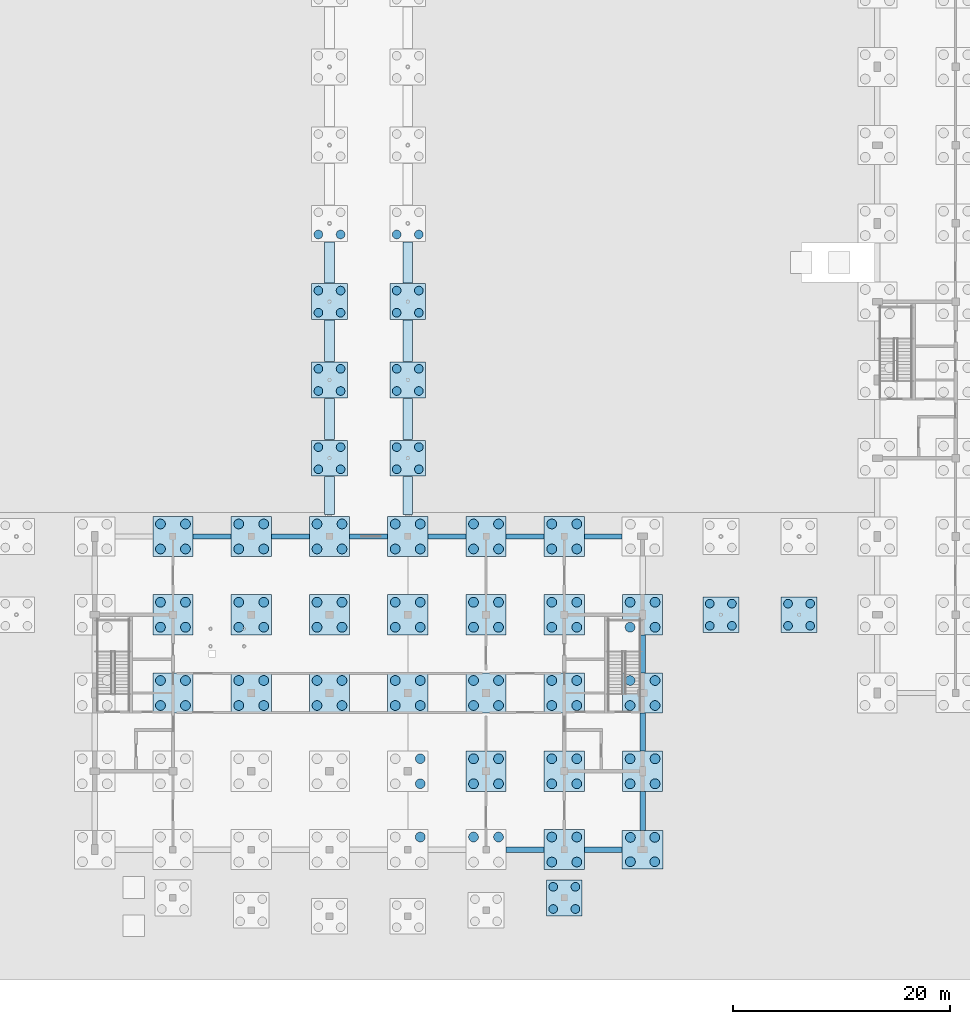
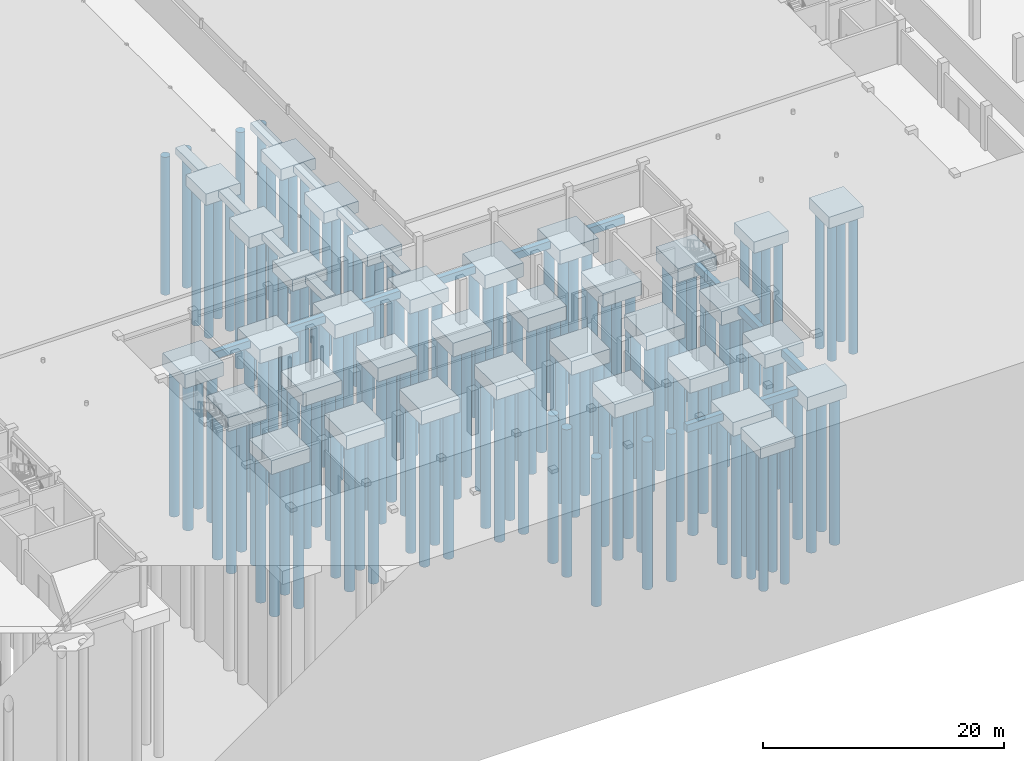
# One storey, part 3 of 51: 145 piles, 53 footings.
"""IFC4 building model written with IfcOpenShell, lengths in metres."""

from ifc_helpers import new_model, si_unit, direction, frame, origin, origin_2d, place, context, subcontext, project, spatial, rectangle, circle, extrude, material, material_profile, profile_set, type_object, element, save


model = new_model("IFC4")

# Units and contexts
model_context = context("Model", 3, precision=1e-05, world=origin(), true_north=direction((0.0, 1.0)))
body_context = subcontext(model_context, "Body", "Model", "MODEL_VIEW")
ifc_project = project(units=[si_unit("LENGTHUNIT", "METRE"), si_unit("AREAUNIT", "SQUARE_METRE"), si_unit("VOLUMEUNIT", "CUBIC_METRE"), si_unit("PLANEANGLEUNIT", "RADIAN"), si_unit("MASSUNIT", "GRAM", prefix="KILO")], contexts=[model_context])

# Site, building, storey
site_placement = place(None, origin())
site = spatial("IfcSite", under=ifc_project, at=site_placement, CompositionType="ELEMENT")
building_placement = place(site_placement, origin())
building = spatial("IfcBuilding", under=site, at=building_placement, Name="Zlatovets Crest Museum", CompositionType="ELEMENT")
storey_placement = place(building_placement, frame((0.0, 0.0, -4.5)))
storey = spatial("IfcBuildingStorey", under=building, at=storey_placement, Name="B1", CompositionType="ELEMENT", Elevation=-4.5)

# Piles
ifc_material = material(Name="Concrete C35/45", Category="concrete")
ifc_material_profile_1 = material_profile(ifc_material, circle(Radius=0.39990234375, at=origin_2d()), Name="PILE D800")
ifc_profile_set_1 = profile_set([ifc_material_profile_1], Name="Concrete C35/45")
pile_type_1 = type_object("IfcPileType", Name="BoredPile_PL-01", PredefinedType="BORED", material=ifc_profile_set_1)
for number, where, z_axis, x_axis, name in (
    (1, (114.179931640625, 20.580078125, -1.39990234375), (0.0, 0.0, -1.0), (1.0, 0.0, 0.0), "Bored pile PL-01 BR4-S1T0.1"),
    (2, (114.179931640625, 22.6201171875, -1.39990234375), (0.0, 0.0, -1.0), (1.0, 0.0, 0.0), "Bored pile PL-01 BR4-S1T0.2"),
    (3, (116.219970703125, 20.580078125, -1.39990234375), (0.0, 0.0, -1.0), (1.0, 0.0, 0.0), "Bored pile PL-01 BR4-S1T0.3"),
    (4, (116.219970703125, 22.6201171875, -1.39990234375), (0.0, 0.0, -1.0), (1.0, 0.0, 0.0), "Bored pile PL-01 BR4-S1T0.4"),
    (5, (121.3798828125, 20.580078125, -1.39990234375), (0.0, 0.0, -1.0), (1.0, 0.0, 0.0), "Bored pile PL-01 BR4-S2T0.1"),
    (6, (121.3798828125, 22.6201171875, -1.39990234375), (0.0, 0.0, -1.0), (1.0, 0.0, 0.0), "Bored pile PL-01 BR4-S2T0.2"),
    (7, (123.419921875, 20.580078125, -1.39990234375), (0.0, 0.0, -1.0), (1.0, 0.0, 0.0), "Bored pile PL-01 BR4-S2T0.3"),
    (8, (123.419921875, 22.6201171875, -1.39990234375), (0.0, 0.0, -1.0), (1.0, 0.0, 0.0), "Bored pile PL-01 BR4-S2T0.4"),
    (9, (78.179931640625, 34.97998046875, -1.39990234375), (0.0, 0.0, -1.0), (1.0, 0.0, 0.0), "Bored pile PL-01 BR5-S1T0.1"),
    (10, (78.179931640625, 37.02001953125, -1.39990234375), (0.0, 0.0, -1.0), (1.0, 0.0, 0.0), "Bored pile PL-01 BR5-S1T0.2"),
    (11, (80.219970703125, 34.97998046875, -1.39990234375), (0.0, 0.0, -1.0), (1.0, 0.0, 0.0), "Bored pile PL-01 BR5-S1T0.3"),
    (12, (80.219970703125, 37.02001953125, -1.39990234375), (0.0, 0.0, -1.0), (1.0, 0.0, 0.0), "Bored pile PL-01 BR5-S1T0.4"),
    (13, (85.3798828125, 34.97998046875, -1.39990234375), (0.0, 0.0, -1.0), (1.0, 0.0, 0.0), "Bored pile PL-01 BR5-S1T1.1"),
    (14, (85.3798828125, 37.02001953125, -1.39990234375), (0.0, 0.0, -1.0), (1.0, 0.0, 0.0), "Bored pile PL-01 BR5-S1T1.2"),
    (15, (87.419921875, 34.97998046875, -1.39990234375), (0.0, 0.0, -1.0), (1.0, 0.0, 0.0), "Bored pile PL-01 BR5-S1T1.3"),
    (16, (87.419921875, 37.02001953125, -1.39990234375), (0.0, 0.0, -1.0), (1.0, 0.0, 0.0), "Bored pile PL-01 BR5-S1T1.4"),
    (17, (78.179931640625, 42.179931640625, -1.39990234375), (0.0, 0.0, -1.0), (1.0, 0.0, 0.0), "Bored pile PL-01 BR5-S2T0.1"),
    (18, (78.179931640625, 44.219970703125, -1.39990234375), (0.0, 0.0, -1.0), (1.0, 0.0, 0.0), "Bored pile PL-01 BR5-S2T0.2"),
    (19, (80.219970703125, 42.179931640625, -1.39990234375), (0.0, 0.0, -1.0), (1.0, 0.0, 0.0), "Bored pile PL-01 BR5-S2T0.3"),
    (20, (80.219970703125, 44.219970703125, -1.39990234375), (0.0, 0.0, -1.0), (1.0, 0.0, 0.0), "Bored pile PL-01 BR5-S2T0.4"),
    (21, (85.3798828125, 42.179931640625, -1.39990234375), (0.0, 0.0, -1.0), (1.0, 0.0, 0.0), "Bored pile PL-01 BR5-S2T1.1"),
    (22, (85.3798828125, 44.219970703125, -1.39990234375), (0.0, 0.0, -1.0), (1.0, 0.0, 0.0), "Bored pile PL-01 BR5-S2T1.2"),
    (23, (87.419921875, 42.179931640625, -1.39990234375), (0.0, 0.0, -1.0), (1.0, 0.0, 0.0), "Bored pile PL-01 BR5-S2T1.3"),
    (24, (87.419921875, 44.219970703125, -1.39990234375), (0.0, 0.0, -1.0), (1.0, 0.0, 0.0), "Bored pile PL-01 BR5-S2T1.4"),
    (25, (78.179931640625, 49.3798828125, -1.39990234375), (0.0, 0.0, -1.0), (1.0, 0.0, 0.0), "Bored pile PL-01 BR5-S3T0.1"),
    (26, (78.179931640625, 51.419921875, -1.39990234375), (0.0, 0.0, -1.0), (1.0, 0.0, 0.0), "Bored pile PL-01 BR5-S3T0.2"),
    (27, (80.219970703125, 49.3798828125, -1.39990234375), (0.0, 0.0, -1.0), (1.0, 0.0, 0.0), "Bored pile PL-01 BR5-S3T0.3"),
    (28, (80.219970703125, 51.419921875, -1.39990234375), (0.0, 0.0, -1.0), (1.0, 0.0, 0.0), "Bored pile PL-01 BR5-S3T0.4"),
    (29, (85.3798828125, 49.3798828125, -1.39990234375), (0.0, 0.0, -1.0), (1.0, 0.0, 0.0), "Bored pile PL-01 BR5-S3T1.1"),
    (30, (85.3798828125, 51.419921875, -1.39990234375), (0.0, 0.0, -1.0), (1.0, 0.0, 0.0), "Bored pile PL-01 BR5-S3T1.2"),
    (31, (87.419921875, 49.3798828125, -1.39990234375), (0.0, 0.0, -1.0), (1.0, 0.0, 0.0), "Bored pile PL-01 BR5-S3T1.3"),
    (32, (87.419921875, 51.419921875, -1.39990234375), (0.0, 0.0, -1.0), (1.0, 0.0, 0.0), "Bored pile PL-01 BR5-S3T1.4"),
    (33, (78.179931640625, 56.580078125, -1.39990234375), (0.0, 0.0, -1.0), (1.0, 0.0, 0.0), "Bored pile PL-01 BR5-S4T0.1"),
    (34, (80.219970703125, 56.580078125, -1.39990234375), (0.0, 0.0, -1.0), (1.0, 0.0, 0.0), "Bored pile PL-01 BR5-S4T0.3"),
    (35, (85.3798828125, 56.580078125, -1.39990234375), (0.0, 0.0, -1.0), (1.0, 0.0, 0.0), "Bored pile PL-01 BR5-S4T1.1"),
    (36, (87.419921875, 56.580078125, -1.39990234375), (0.0, 0.0, -1.0), (1.0, 0.0, 0.0), "Bored pile PL-01 BR5-S4T1.3"),
    (37, (99.780029296875, -5.468505859375, -1.39990234375), (0.0, 0.0, -1.0), (1.0, 0.0, 0.0), "Bored pile PL-01 CAN-100.8.1"),
    (38, (99.780029296875, -3.4287109375, -1.39990234375), (0.0, 0.0, -1.0), (1.0, 0.0, 0.0), "Bored pile PL-01 CAN-100.8.2"),
    (39, (101.820068359375, -5.468505859375, -1.39990234375), (0.0, 0.0, -1.0), (1.0, 0.0, 0.0), "Bored pile PL-01 CAN-100.8.3"),
    (40, (101.820068359375, -3.4287109375, -1.39990234375), (0.0, 0.0, -1.0), (1.0, 0.0, 0.0), "Bored pile PL-01 CAN-100.8.4"),
):
    element("IfcPile", number, at=place(storey_placement, frame(where, z_axis=z_axis, x_axis=x_axis)), inside=storey, type_object=pile_type_1, Name=name, PredefinedType="BORED", context=body_context, shape_type="SweptSolid", body=[
        extrude(circle(Radius=0.39990234375, at=origin_2d()), origin(), (0.0, 0.0, 1.0), 14.0),
    ])
ifc_material_profile_2 = material_profile(ifc_material, circle(Radius=0.449951171875, at=origin_2d()), Name="PILE D900")
ifc_profile_set_2 = profile_set([ifc_material_profile_2], Name="Concrete C35/45")
pile_type_2 = type_object("IfcPileType", Name="BoredPile_PL-02", PredefinedType="BORED", material=ifc_profile_set_2)
for number, where, z_axis, x_axis, name in (
    (41, (63.64990234375, 13.25, -1.64990234375), (0.0, 0.0, -1.0), (1.0, 0.0, 0.0), "Bored pile PL-02 V2-X01Y02.1"),
    (42, (63.64990234375, 15.550048828125, -1.64990234375), (0.0, 0.0, -1.0), (1.0, 0.0, 0.0), "Bored pile PL-02 V2-X01Y02.2"),
    (43, (65.949951171875, 13.25, -1.64990234375), (0.0, 0.0, -1.0), (1.0, 0.0, 0.0), "Bored pile PL-02 V2-X01Y02.3"),
    (44, (65.949951171875, 15.550048828125, -1.64990234375), (0.0, 0.0, -1.0), (1.0, 0.0, 0.0), "Bored pile PL-02 V2-X01Y02.4"),
    (45, (63.64990234375, 20.449951171875, -1.64990234375), (0.0, 0.0, -1.0), (1.0, 0.0, 0.0), "Bored pile PL-02 V2-X01Y03.1"),
    (46, (63.64990234375, 22.75, -1.64990234375), (0.0, 0.0, -1.0), (1.0, 0.0, 0.0), "Bored pile PL-02 V2-X01Y03.2"),
    (47, (65.949951171875, 20.449951171875, -1.64990234375), (0.0, 0.0, -1.0), (1.0, 0.0, 0.0), "Bored pile PL-02 V2-X01Y03.3"),
    (48, (65.949951171875, 22.75, -1.64990234375), (0.0, 0.0, -1.0), (1.0, 0.0, 0.0), "Bored pile PL-02 V2-X01Y03.4"),
    (49, (63.64990234375, 27.64990234375, -1.64990234375), (0.0, 0.0, -1.0), (1.0, 0.0, 0.0), "Bored pile PL-02 V2-X01Y04.1"),
    (50, (63.64990234375, 29.949951171875, -1.64990234375), (0.0, 0.0, -1.0), (1.0, 0.0, 0.0), "Bored pile PL-02 V2-X01Y04.2"),
    (51, (65.949951171875, 27.64990234375, -1.64990234375), (0.0, 0.0, -1.0), (1.0, 0.0, 0.0), "Bored pile PL-02 V2-X01Y04.3"),
    (52, (65.949951171875, 29.949951171875, -1.64990234375), (0.0, 0.0, -1.0), (1.0, 0.0, 0.0), "Bored pile PL-02 V2-X01Y04.4"),
    (53, (70.85009765625, 13.25, -1.64990234375), (0.0, 0.0, -1.0), (1.0, 0.0, 0.0), "Bored pile PL-02 V2-X02Y02.1"),
    (54, (70.85009765625, 15.550048828125, -1.64990234375), (0.0, 0.0, -1.0), (1.0, 0.0, 0.0), "Bored pile PL-02 V2-X02Y02.2"),
    (55, (73.14990234375, 13.25, -1.64990234375), (0.0, 0.0, -1.0), (1.0, 0.0, 0.0), "Bored pile PL-02 V2-X02Y02.3"),
    (56, (73.14990234375, 15.550048828125, -1.64990234375), (0.0, 0.0, -1.0), (1.0, 0.0, 0.0), "Bored pile PL-02 V2-X02Y02.4"),
    (57, (70.85009765625, 20.449951171875, -1.64990234375), (0.0, 0.0, -1.0), (1.0, 0.0, 0.0), "Bored pile PL-02 V2-X02Y03.1"),
    (58, (70.85009765625, 22.75, -1.64990234375), (0.0, 0.0, -1.0), (1.0, 0.0, 0.0), "Bored pile PL-02 V2-X02Y03.2"),
    (59, (73.14990234375, 20.449951171875, -1.64990234375), (0.0, 0.0, -1.0), (1.0, 0.0, 0.0), "Bored pile PL-02 V2-X02Y03.3"),
    (60, (73.14990234375, 22.75, -1.64990234375), (0.0, 0.0, -1.0), (1.0, 0.0, 0.0), "Bored pile PL-02 V2-X02Y03.4"),
    (61, (70.85009765625, 27.64990234375, -1.64990234375), (0.0, 0.0, -1.0), (1.0, 0.0, 0.0), "Bored pile PL-02 V2-X02Y04.1"),
    (62, (70.85009765625, 29.949951171875, -1.64990234375), (0.0, 0.0, -1.0), (1.0, 0.0, 0.0), "Bored pile PL-02 V2-X02Y04.2"),
    (63, (73.14990234375, 27.64990234375, -1.64990234375), (0.0, 0.0, -1.0), (1.0, 0.0, 0.0), "Bored pile PL-02 V2-X02Y04.3"),
    (64, (73.14990234375, 29.949951171875, -1.64990234375), (0.0, 0.0, -1.0), (1.0, 0.0, 0.0), "Bored pile PL-02 V2-X02Y04.4"),
    (65, (78.050048828125, 13.25, -1.64990234375), (0.0, 0.0, -1.0), (1.0, 0.0, 0.0), "Bored pile PL-02 V2-X03Y02.1"),
    (66, (78.050048828125, 15.550048828125, -1.64990234375), (0.0, 0.0, -1.0), (1.0, 0.0, 0.0), "Bored pile PL-02 V2-X03Y02.2"),
    (67, (80.35009765625, 13.25, -1.64990234375), (0.0, 0.0, -1.0), (1.0, 0.0, 0.0), "Bored pile PL-02 V2-X03Y02.3"),
    (68, (80.35009765625, 15.550048828125, -1.64990234375), (0.0, 0.0, -1.0), (1.0, 0.0, 0.0), "Bored pile PL-02 V2-X03Y02.4"),
    (69, (78.050048828125, 20.449951171875, -1.64990234375), (0.0, 0.0, -1.0), (1.0, 0.0, 0.0), "Bored pile PL-02 V2-X03Y03.1"),
    (70, (78.050048828125, 22.75, -1.64990234375), (0.0, 0.0, -1.0), (1.0, 0.0, 0.0), "Bored pile PL-02 V2-X03Y03.2"),
    (71, (80.35009765625, 20.449951171875, -1.64990234375), (0.0, 0.0, -1.0), (1.0, 0.0, 0.0), "Bored pile PL-02 V2-X03Y03.3"),
    (72, (80.35009765625, 22.75, -1.64990234375), (0.0, 0.0, -1.0), (1.0, 0.0, 0.0), "Bored pile PL-02 V2-X03Y03.4"),
    (73, (78.050048828125, 27.64990234375, -1.64990234375), (0.0, 0.0, -1.0), (1.0, 0.0, 0.0), "Bored pile PL-02 V2-X03Y04.1"),
    (74, (78.050048828125, 29.949951171875, -1.64990234375), (0.0, 0.0, -1.0), (1.0, 0.0, 0.0), "Bored pile PL-02 V2-X03Y04.2"),
    (75, (80.35009765625, 27.64990234375, -1.64990234375), (0.0, 0.0, -1.0), (1.0, 0.0, 0.0), "Bored pile PL-02 V2-X03Y04.3"),
    (76, (80.35009765625, 29.949951171875, -1.64990234375), (0.0, 0.0, -1.0), (1.0, 0.0, 0.0), "Bored pile PL-02 V2-X03Y04.4"),
    (77, (87.550048828125, 1.14990234375, -1.64990234375), (0.0, 0.0, -1.0), (1.0, 0.0, 0.0), "Bored pile PL-02 V2-X04Y00.4"),
    (78, (87.550048828125, 6.050048828125, -1.64990234375), (0.0, 0.0, -1.0), (1.0, 0.0, 0.0), "Bored pile PL-02 V2-X04Y01.3"),
    (79, (87.550048828125, 8.35009765625, -1.64990234375), (0.0, 0.0, -1.0), (1.0, 0.0, 0.0), "Bored pile PL-02 V2-X04Y01.4"),
    (80, (85.25, 13.25, -1.64990234375), (0.0, 0.0, -1.0), (1.0, 0.0, 0.0), "Bored pile PL-02 V2-X04Y02.1"),
    (81, (85.25, 15.550048828125, -1.64990234375), (0.0, 0.0, -1.0), (1.0, 0.0, 0.0), "Bored pile PL-02 V2-X04Y02.2"),
    (82, (87.550048828125, 13.25, -1.64990234375), (0.0, 0.0, -1.0), (1.0, 0.0, 0.0), "Bored pile PL-02 V2-X04Y02.3"),
    (83, (87.550048828125, 15.550048828125, -1.64990234375), (0.0, 0.0, -1.0), (1.0, 0.0, 0.0), "Bored pile PL-02 V2-X04Y02.4"),
    (84, (85.25, 20.449951171875, -1.64990234375), (0.0, 0.0, -1.0), (1.0, 0.0, 0.0), "Bored pile PL-02 V2-X04Y03.1"),
    (85, (85.25, 22.75, -1.64990234375), (0.0, 0.0, -1.0), (1.0, 0.0, 0.0), "Bored pile PL-02 V2-X04Y03.2"),
    (86, (87.550048828125, 20.449951171875, -1.64990234375), (0.0, 0.0, -1.0), (1.0, 0.0, 0.0), "Bored pile PL-02 V2-X04Y03.3"),
    (87, (87.550048828125, 22.75, -1.64990234375), (0.0, 0.0, -1.0), (1.0, 0.0, 0.0), "Bored pile PL-02 V2-X04Y03.4"),
    (88, (85.25, 27.64990234375, -1.64990234375), (0.0, 0.0, -1.0), (1.0, 0.0, 0.0), "Bored pile PL-02 V2-X04Y04.1"),
    (89, (85.25, 29.949951171875, -1.64990234375), (0.0, 0.0, -1.0), (1.0, 0.0, 0.0), "Bored pile PL-02 V2-X04Y04.2"),
    (90, (87.550048828125, 27.64990234375, -1.64990234375), (0.0, 0.0, -1.0), (1.0, 0.0, 0.0), "Bored pile PL-02 V2-X04Y04.3"),
    (91, (87.550048828125, 29.949951171875, -1.64990234375), (0.0, 0.0, -1.0), (1.0, 0.0, 0.0), "Bored pile PL-02 V2-X04Y04.4"),
    (92, (92.449951171875, 1.14990234375, -1.64990234375), (0.0, 0.0, -1.0), (1.0, 0.0, 0.0), "Bored pile PL-02 V2-X05Y00.2"),
    (93, (94.75, 1.14990234375, -1.64990234375), (0.0, 0.0, -1.0), (1.0, 0.0, 0.0), "Bored pile PL-02 V2-X05Y00.4"),
    (94, (92.449951171875, 6.050048828125, -1.64990234375), (0.0, 0.0, -1.0), (1.0, 0.0, 0.0), "Bored pile PL-02 V2-X05Y01.1"),
    (95, (92.449951171875, 8.35009765625, -1.64990234375), (0.0, 0.0, -1.0), (1.0, 0.0, 0.0), "Bored pile PL-02 V2-X05Y01.2"),
    (96, (94.75, 6.050048828125, -1.64990234375), (0.0, 0.0, -1.0), (1.0, 0.0, 0.0), "Bored pile PL-02 V2-X05Y01.3"),
    (97, (94.75, 8.35009765625, -1.64990234375), (0.0, 0.0, -1.0), (1.0, 0.0, 0.0), "Bored pile PL-02 V2-X05Y01.4"),
    (98, (92.449951171875, 13.25, -1.64990234375), (0.0, 0.0, -1.0), (1.0, 0.0, 0.0), "Bored pile PL-02 V2-X05Y02.1"),
    (99, (92.449951171875, 15.550048828125, -1.64990234375), (0.0, 0.0, -1.0), (1.0, 0.0, 0.0), "Bored pile PL-02 V2-X05Y02.2"),
    (100, (94.75, 13.25, -1.64990234375), (0.0, 0.0, -1.0), (1.0, 0.0, 0.0), "Bored pile PL-02 V2-X05Y02.3"),
    (101, (94.75, 15.550048828125, -1.64990234375), (0.0, 0.0, -1.0), (1.0, 0.0, 0.0), "Bored pile PL-02 V2-X05Y02.4"),
    (102, (92.449951171875, 20.449951171875, -1.64990234375), (0.0, 0.0, -1.0), (1.0, 0.0, 0.0), "Bored pile PL-02 V2-X05Y03.1"),
    (103, (92.449951171875, 22.75, -1.64990234375), (0.0, 0.0, -1.0), (1.0, 0.0, 0.0), "Bored pile PL-02 V2-X05Y03.2"),
    (104, (94.75, 20.449951171875, -1.64990234375), (0.0, 0.0, -1.0), (1.0, 0.0, 0.0), "Bored pile PL-02 V2-X05Y03.3"),
    (105, (94.75, 22.75, -1.64990234375), (0.0, 0.0, -1.0), (1.0, 0.0, 0.0), "Bored pile PL-02 V2-X05Y03.4"),
    (106, (92.449951171875, 27.64990234375, -1.64990234375), (0.0, 0.0, -1.0), (1.0, 0.0, 0.0), "Bored pile PL-02 V2-X05Y04.1"),
    (107, (92.449951171875, 29.949951171875, -1.64990234375), (0.0, 0.0, -1.0), (1.0, 0.0, 0.0), "Bored pile PL-02 V2-X05Y04.2"),
    (108, (94.75, 27.64990234375, -1.64990234375), (0.0, 0.0, -1.0), (1.0, 0.0, 0.0), "Bored pile PL-02 V2-X05Y04.3"),
    (109, (94.75, 29.949951171875, -1.64990234375), (0.0, 0.0, -1.0), (1.0, 0.0, 0.0), "Bored pile PL-02 V2-X05Y04.4"),
    (110, (99.64990234375, -1.14990234375, -1.64990234375), (0.0, 0.0, -1.0), (1.0, 0.0, 0.0), "Bored pile PL-02 V2-X06Y00.1"),
    (111, (99.64990234375, 1.14990234375, -1.64990234375), (0.0, 0.0, -1.0), (1.0, 0.0, 0.0), "Bored pile PL-02 V2-X06Y00.2"),
    (112, (101.949951171875, -1.14990234375, -1.64990234375), (0.0, 0.0, -1.0), (1.0, 0.0, 0.0), "Bored pile PL-02 V2-X06Y00.3"),
    (113, (101.949951171875, 1.14990234375, -1.64990234375), (0.0, 0.0, -1.0), (1.0, 0.0, 0.0), "Bored pile PL-02 V2-X06Y00.4"),
    (114, (99.64990234375, 6.050048828125, -1.64990234375), (0.0, 0.0, -1.0), (1.0, 0.0, 0.0), "Bored pile PL-02 V2-X06Y01.1"),
    (115, (99.64990234375, 8.35009765625, -1.64990234375), (0.0, 0.0, -1.0), (1.0, 0.0, 0.0), "Bored pile PL-02 V2-X06Y01.2"),
    (116, (101.949951171875, 6.050048828125, -1.64990234375), (0.0, 0.0, -1.0), (1.0, 0.0, 0.0), "Bored pile PL-02 V2-X06Y01.3"),
    (117, (101.949951171875, 8.35009765625, -1.64990234375), (0.0, 0.0, -1.0), (1.0, 0.0, 0.0), "Bored pile PL-02 V2-X06Y01.4"),
    (118, (99.64990234375, 13.25, -1.64990234375), (0.0, 0.0, -1.0), (1.0, 0.0, 0.0), "Bored pile PL-02 V2-X06Y02.1"),
    (119, (99.64990234375, 15.550048828125, -1.64990234375), (0.0, 0.0, -1.0), (1.0, 0.0, 0.0), "Bored pile PL-02 V2-X06Y02.2"),
    (120, (101.949951171875, 13.25, -1.64990234375), (0.0, 0.0, -1.0), (1.0, 0.0, 0.0), "Bored pile PL-02 V2-X06Y02.3"),
    (121, (101.949951171875, 15.550048828125, -1.64990234375), (0.0, 0.0, -1.0), (1.0, 0.0, 0.0), "Bored pile PL-02 V2-X06Y02.4"),
    (122, (99.64990234375, 20.449951171875, -1.64990234375), (0.0, 0.0, -1.0), (1.0, 0.0, 0.0), "Bored pile PL-02 V2-X06Y03.1"),
    (123, (99.64990234375, 22.75, -1.64990234375), (0.0, 0.0, -1.0), (1.0, 0.0, 0.0), "Bored pile PL-02 V2-X06Y03.2"),
    (124, (101.949951171875, 20.449951171875, -1.64990234375), (0.0, 0.0, -1.0), (1.0, 0.0, 0.0), "Bored pile PL-02 V2-X06Y03.3"),
    (125, (101.949951171875, 22.75, -1.64990234375), (0.0, 0.0, -1.0), (1.0, 0.0, 0.0), "Bored pile PL-02 V2-X06Y03.4"),
    (126, (99.64990234375, 27.64990234375, -1.64990234375), (0.0, 0.0, -1.0), (1.0, 0.0, 0.0), "Bored pile PL-02 V2-X06Y04.1"),
    (127, (99.64990234375, 29.949951171875, -1.64990234375), (0.0, 0.0, -1.0), (1.0, 0.0, 0.0), "Bored pile PL-02 V2-X06Y04.2"),
    (128, (101.949951171875, 27.64990234375, -1.64990234375), (0.0, 0.0, -1.0), (1.0, 0.0, 0.0), "Bored pile PL-02 V2-X06Y04.3"),
    (129, (101.949951171875, 29.949951171875, -1.64990234375), (0.0, 0.0, -1.0), (1.0, 0.0, 0.0), "Bored pile PL-02 V2-X06Y04.4"),
    (130, (106.8798828125, -1.1201171875, -1.60009765625), (0.0, 0.0, -1.0), (1.0, 0.0, 0.0), "Bored pile PL-02 V2-X07Y00.1"),
    (131, (106.8798828125, 1.1201171875, -1.60009765625), (0.0, 0.0, -1.0), (1.0, 0.0, 0.0), "Bored pile PL-02 V2-X07Y00.2"),
    (132, (109.1201171875, -1.1201171875, -1.60009765625), (0.0, 0.0, -1.0), (1.0, 0.0, 0.0), "Bored pile PL-02 V2-X07Y00.3"),
    (133, (109.1201171875, 1.1201171875, -1.60009765625), (0.0, 0.0, -1.0), (1.0, 0.0, 0.0), "Bored pile PL-02 V2-X07Y00.4"),
    (134, (106.85009765625, 6.050048828125, -1.64990234375), (0.0, 0.0, -1.0), (1.0, 0.0, 0.0), "Bored pile PL-02 V2-X07Y01.1"),
    (135, (106.85009765625, 8.35009765625, -1.64990234375), (0.0, 0.0, -1.0), (1.0, 0.0, 0.0), "Bored pile PL-02 V2-X07Y01.2"),
    (136, (109.14990234375, 6.050048828125, -1.64990234375), (0.0, 0.0, -1.0), (1.0, 0.0, 0.0), "Bored pile PL-02 V2-X07Y01.3"),
    (137, (109.14990234375, 8.35009765625, -1.64990234375), (0.0, 0.0, -1.0), (1.0, 0.0, 0.0), "Bored pile PL-02 V2-X07Y01.4"),
    (138, (106.85009765625, 13.25, -1.64990234375), (0.0, 0.0, -1.0), (1.0, 0.0, 0.0), "Bored pile PL-02 V2-X07Y02.1"),
    (139, (106.85009765625, 15.550048828125, -1.64990234375), (0.0, 0.0, -1.0), (1.0, 0.0, 0.0), "Bored pile PL-02 V2-X07Y02.2"),
    (140, (109.14990234375, 13.25, -1.64990234375), (0.0, 0.0, -1.0), (1.0, 0.0, 0.0), "Bored pile PL-02 V2-X07Y02.3"),
    (141, (109.14990234375, 15.550048828125, -1.64990234375), (0.0, 0.0, -1.0), (1.0, 0.0, 0.0), "Bored pile PL-02 V2-X07Y02.4"),
    (142, (106.85009765625, 20.449951171875, -1.64990234375), (0.0, 0.0, -1.0), (1.0, 0.0, 0.0), "Bored pile PL-02 V2-X07Y03.1"),
    (143, (106.85009765625, 22.75, -1.64990234375), (0.0, 0.0, -1.0), (1.0, 0.0, 0.0), "Bored pile PL-02 V2-X07Y03.2"),
    (144, (109.14990234375, 20.449951171875, -1.64990234375), (0.0, 0.0, -1.0), (1.0, 0.0, 0.0), "Bored pile PL-02 V2-X07Y03.3"),
    (145, (109.14990234375, 22.75, -1.64990234375), (0.0, 0.0, -1.0), (1.0, 0.0, 0.0), "Bored pile PL-02 V2-X07Y03.4"),
):
    element("IfcPile", number, at=place(storey_placement, frame(where, z_axis=z_axis, x_axis=x_axis)), inside=storey, type_object=pile_type_2, Name=name, PredefinedType="BORED", context=body_context, shape_type="SweptSolid", body=[
        extrude(circle(Radius=0.449951171875, at=origin_2d()), origin(), (0.0, 0.0, 1.0), 15.0),
    ])

# Footings
ifc_material_profile_3 = material_profile(ifc_material, rectangle(XDim=0.5, YDim=0.75, at=origin_2d()), Name="RC 500x750")
ifc_profile_set_3 = profile_set([ifc_material_profile_3], Name="Concrete C35/45")
footing_type_1 = type_object("IfcFootingType", Name="GroundBeam_GB-01", PredefinedType="FOOTING_BEAM", material=ifc_profile_set_3)
footing_1_placement = place(storey_placement, frame((95.449951171875, 0.0, -0.824951171875), z_axis=(1.0, 0.0, 0.0), x_axis=(0.0, 1.0, 0.0)))
element("IfcFooting", 146, at=footing_1_placement, inside=storey, type_object=footing_type_1, Name="Ground tie-beam GB-01", PredefinedType="FOOTING_BEAM", context=body_context, shape_type="SweptSolid", body=[
    extrude(rectangle(XDim=0.5, YDim=0.75, at=origin_2d()), origin(), (0.0, 0.0, 1.0), 3.5),
])
footing_2_placement = place(storey_placement, frame((102.64990234375, 0.0, -0.824951171875), z_axis=(1.0, 0.0, 0.0), x_axis=(0.0, 1.0, 0.0)))
element("IfcFooting", 147, at=footing_2_placement, inside=storey, type_object=footing_type_1, Name="Ground tie-beam GB-01", PredefinedType="FOOTING_BEAM", context=body_context, shape_type="SweptSolid", body=[
    extrude(rectangle(XDim=0.5, YDim=0.75, at=origin_2d()), origin(), (0.0, 0.0, 1.0), 3.47509765625),
])
for number, where, z_axis, x_axis, name in (
    (148, (66.64990234375, 28.800048828125, -0.824951171875), (1.0, 0.0, 0.0), (0.0, 1.0, 0.0), "Ground tie-beam GB-01"),
    (149, (73.85009765625, 28.800048828125, -0.824951171875), (1.0, 0.0, 0.0), (0.0, 1.0, 0.0), "Ground tie-beam GB-01"),
    (150, (81.050048828125, 28.800048828125, -0.824951171875), (1.0, 0.0, 0.0), (0.0, 1.0, 0.0), "Ground tie-beam GB-01"),
    (151, (88.25, 28.800048828125, -0.824951171875), (1.0, 0.0, 0.0), (0.0, 1.0, 0.0), "Ground tie-beam GB-01"),
    (152, (95.449951171875, 28.800048828125, -0.824951171875), (1.0, 0.0, 0.0), (0.0, 1.0, 0.0), "Ground tie-beam GB-01"),
):
    element("IfcFooting", number, at=place(storey_placement, frame(where, z_axis=z_axis, x_axis=x_axis)), inside=storey, type_object=footing_type_1, Name=name, PredefinedType="FOOTING_BEAM", context=body_context, shape_type="SweptSolid", body=[
        extrude(rectangle(XDim=0.5, YDim=0.75, at=origin_2d()), origin(), (0.0, 0.0, 1.0), 3.5),
    ])
footing_3_placement = place(storey_placement, frame((102.64990234375, 28.800048828125, -0.824951171875), z_axis=(1.0, 0.0, 0.0), x_axis=(0.0, 1.0, 0.0)))
element("IfcFooting", 153, at=footing_3_placement, inside=storey, type_object=footing_type_1, Name="Ground tie-beam GB-01", PredefinedType="FOOTING_BEAM", context=body_context, shape_type="SweptSolid", body=[
    extrude(rectangle(XDim=0.5, YDim=0.75, at=origin_2d()), origin(), (0.0, 0.0, 1.0), 3.47509765625),
])
footing_4_placement = place(storey_placement, frame((108.0, 1.77490234375, -0.824951171875), z_axis=(0.0, 1.0, 0.0), x_axis=(-1.0, 0.0, 0.0)))
element("IfcFooting", 154, at=footing_4_placement, inside=storey, type_object=footing_type_1, Name="Ground tie-beam GB-01", PredefinedType="FOOTING_BEAM", context=body_context, shape_type="SweptSolid", body=[
    extrude(rectangle(XDim=0.5, YDim=0.75, at=origin_2d()), origin(), (0.0, 0.0, 1.0), 3.5751953125),
])
for number, where, z_axis, x_axis, name in (
    (155, (108.0, 9.050048828125, -0.824951171875), (0.0, 1.0, 0.0), (-1.0, 0.0, 0.0), "Ground tie-beam GB-01"),
    (156, (108.0, 16.25, -0.824951171875), (0.0, 1.0, 0.0), (-1.0, 0.0, 0.0), "Ground tie-beam GB-01"),
):
    element("IfcFooting", number, at=place(storey_placement, frame(where, z_axis=z_axis, x_axis=x_axis)), inside=storey, type_object=footing_type_1, Name=name, PredefinedType="FOOTING_BEAM", context=body_context, shape_type="SweptSolid", body=[
        extrude(rectangle(XDim=0.5, YDim=0.75, at=origin_2d()), origin(), (0.0, 0.0, 1.0), 3.5),
    ])
footing_type_2 = type_object("IfcFootingType", Name="PileCap_PC-03", PredefinedType="PILE_CAP", material=ifc_material)
for number, where, z_axis, x_axis, name in (
    (157, (64.800048828125, 14.39990234375, -1.849853515625), (0.0, 0.0, 1.0), (1.0, 0.0, 0.0), "Pile cap PC-03 at (64.8, 14.4)"),
    (158, (64.800048828125, 21.60009765625, -1.849853515625), (0.0, 0.0, 1.0), (1.0, 0.0, 0.0), "Pile cap PC-03 at (64.8, 21.6)"),
    (159, (64.800048828125, 28.800048828125, -1.849853515625), (0.0, 0.0, 1.0), (1.0, 0.0, 0.0), "Pile cap PC-03 at (64.8, 28.8)"),
    (160, (72.0, 14.39990234375, -1.849853515625), (0.0, 0.0, 1.0), (1.0, 0.0, 0.0), "Pile cap PC-03 at (72.0, 14.4)"),
    (161, (72.0, 21.60009765625, -1.849853515625), (0.0, 0.0, 1.0), (1.0, 0.0, 0.0), "Pile cap PC-03 at (72.0, 21.6)"),
    (162, (72.0, 28.800048828125, -1.849853515625), (0.0, 0.0, 1.0), (1.0, 0.0, 0.0), "Pile cap PC-03 at (72.0, 28.8)"),
    (163, (79.199951171875, 14.39990234375, -1.849853515625), (0.0, 0.0, 1.0), (1.0, 0.0, 0.0), "Pile cap PC-03 at (79.2, 14.4)"),
    (164, (79.199951171875, 21.60009765625, -1.849853515625), (0.0, 0.0, 1.0), (1.0, 0.0, 0.0), "Pile cap PC-03 at (79.2, 21.6)"),
    (165, (79.199951171875, 28.800048828125, -1.849853515625), (0.0, 0.0, 1.0), (1.0, 0.0, 0.0), "Pile cap PC-03 at (79.2, 28.8)"),
    (166, (86.39990234375, 14.39990234375, -1.849853515625), (0.0, 0.0, 1.0), (1.0, 0.0, 0.0), "Pile cap PC-03 at (86.4, 14.4)"),
    (167, (86.39990234375, 21.60009765625, -1.849853515625), (0.0, 0.0, 1.0), (1.0, 0.0, 0.0), "Pile cap PC-03 at (86.4, 21.6)"),
    (168, (86.39990234375, 28.800048828125, -1.849853515625), (0.0, 0.0, 1.0), (1.0, 0.0, 0.0), "Pile cap PC-03 at (86.4, 28.8)"),
    (169, (93.60009765625, 7.199951171875, -1.849853515625), (0.0, 0.0, 1.0), (1.0, 0.0, 0.0), "Pile cap PC-03 at (93.6, 7.2)"),
    (170, (93.60009765625, 14.39990234375, -1.849853515625), (0.0, 0.0, 1.0), (1.0, 0.0, 0.0), "Pile cap PC-03 at (93.6, 14.4)"),
    (171, (93.60009765625, 21.60009765625, -1.849853515625), (0.0, 0.0, 1.0), (1.0, 0.0, 0.0), "Pile cap PC-03 at (93.6, 21.6)"),
    (172, (93.60009765625, 28.800048828125, -1.849853515625), (0.0, 0.0, 1.0), (1.0, 0.0, 0.0), "Pile cap PC-03 at (93.6, 28.8)"),
    (173, (100.800048828125, 0.0, -1.849853515625), (0.0, 0.0, 1.0), (1.0, 0.0, 0.0), "Pile cap PC-03 at (100.8, 0.0)"),
    (174, (100.800048828125, 7.199951171875, -1.849853515625), (0.0, 0.0, 1.0), (1.0, 0.0, 0.0), "Pile cap PC-03 at (100.8, 7.2)"),
    (175, (100.800048828125, 14.39990234375, -1.849853515625), (0.0, 0.0, 1.0), (1.0, 0.0, 0.0), "Pile cap PC-03 at (100.8, 14.4)"),
    (176, (100.800048828125, 21.60009765625, -1.849853515625), (0.0, 0.0, 1.0), (1.0, 0.0, 0.0), "Pile cap PC-03 at (100.8, 21.6)"),
    (177, (100.800048828125, 28.800048828125, -1.849853515625), (0.0, 0.0, 1.0), (1.0, 0.0, 0.0), "Pile cap PC-03 at (100.8, 28.8)"),
    (178, (108.0, 7.199951171875, -1.849853515625), (0.0, 0.0, 1.0), (1.0, 0.0, 0.0), "Pile cap PC-03 at (108.0, 7.2)"),
    (179, (108.0, 14.39990234375, -1.849853515625), (0.0, 0.0, 1.0), (1.0, 0.0, 0.0), "Pile cap PC-03 at (108.0, 14.4)"),
    (180, (108.0, 21.60009765625, -1.849853515625), (0.0, 0.0, 1.0), (1.0, 0.0, 0.0), "Pile cap PC-03 at (108.0, 21.6)"),
):
    element("IfcFooting", number, at=place(storey_placement, frame(where, z_axis=z_axis, x_axis=x_axis)), inside=storey, type_object=footing_type_2, Name=name, PredefinedType="PILE_CAP", context=body_context, shape_type="SweptSolid", body=[
        extrude(rectangle(XDim=3.699951171875, YDim=3.699951171875, at=origin_2d()), origin(), (0.0, 0.0, 1.0), 1.39990234375),
    ])
footing_type_3 = type_object("IfcFootingType", Name="PileCap_PC-05", PredefinedType="PILE_CAP", material=ifc_material)
for number, where, z_axis, x_axis, name in (
    (181, (115.199951171875, 21.60009765625, -1.599853515625), (0.0, 0.0, 1.0), (1.0, 0.0, 0.0), "Pile cap PC-05 at (115.2, 21.6)"),
    (182, (122.39990234375, 21.60009765625, -1.599853515625), (0.0, 0.0, 1.0), (1.0, 0.0, 0.0), "Pile cap PC-05 at (122.4, 21.6)"),
    (183, (79.199951171875, 36.0, -1.599853515625), (0.0, 0.0, 1.0), (1.0, 0.0, 0.0), "Pile cap PC-05 at (79.2, 36.0)"),
    (184, (86.39990234375, 36.0, -1.599853515625), (0.0, 0.0, 1.0), (1.0, 0.0, 0.0), "Pile cap PC-05 at (86.4, 36.0)"),
    (185, (79.199951171875, 43.199951171875, -1.599853515625), (0.0, 0.0, 1.0), (1.0, 0.0, 0.0), "Pile cap PC-05 at (79.2, 43.2)"),
    (186, (86.39990234375, 43.199951171875, -1.599853515625), (0.0, 0.0, 1.0), (1.0, 0.0, 0.0), "Pile cap PC-05 at (86.4, 43.2)"),
    (187, (79.199951171875, 50.39990234375, -1.599853515625), (0.0, 0.0, 1.0), (1.0, 0.0, 0.0), "Pile cap PC-05 at (79.2, 50.4)"),
    (188, (86.39990234375, 50.39990234375, -1.599853515625), (0.0, 0.0, 1.0), (1.0, 0.0, 0.0), "Pile cap PC-05 at (86.4, 50.4)"),
    (189, (100.800048828125, -4.448486328125, -1.599853515625), (0.0, 0.0, 1.0), (1.0, 0.0, 0.0), "Pile cap PC-05 at (100.8, -4.4)"),
):
    element("IfcFooting", number, at=place(storey_placement, frame(where, z_axis=z_axis, x_axis=x_axis)), inside=storey, type_object=footing_type_3, Name=name, PredefinedType="PILE_CAP", context=body_context, shape_type="SweptSolid", body=[
        extrude(rectangle(XDim=3.300048828125, YDim=3.300048828125, at=origin_2d()), origin(), (0.0, 0.0, 1.0), 1.14990234375),
    ])
footing_type_4 = type_object("IfcFootingType", Name="PileCap_PC-09", PredefinedType="PILE_CAP", material=ifc_material)
footing_5_placement = place(storey_placement, frame((108.0, 0.0, -1.800048828125), z_axis=(0.0, 0.0, 1.0), x_axis=(1.0, 0.0, 0.0)))
element("IfcFooting", 190, at=footing_5_placement, inside=storey, type_object=footing_type_4, Name="Pile cap PC-09 at (108.0, 0.0)", PredefinedType="PILE_CAP", context=body_context, shape_type="SweptSolid", body=[
    extrude(rectangle(XDim=3.75, YDim=3.550048828125, at=origin_2d()), origin(), (0.0, 0.0, 1.0), 1.35009765625),
])
ifc_material_profile_4 = material_profile(ifc_material, rectangle(XDim=0.89990234375, YDim=0.699951171875, at=origin_2d()), Name="RC 900x700")
ifc_profile_set_4 = profile_set([ifc_material_profile_4], Name="Concrete C35/45")
footing_type_5 = type_object("IfcFootingType", Name="StripFooting_SF01", PredefinedType="STRIP_FOOTING", material=ifc_profile_set_4)
footing_6_placement = place(storey_placement, frame((79.199951171875, 30.800048828125, -0.800048828125), z_axis=(0.0, 1.0, 0.0), x_axis=(-1.0, 0.0, 0.0)))
element("IfcFooting", 191, at=footing_6_placement, inside=storey, type_object=footing_type_5, Name="BR5 B1 Tunnel Strip Footing W", PredefinedType="STRIP_FOOTING", context=body_context, shape_type="SweptSolid", body=[
    extrude(rectangle(XDim=0.89990234375, YDim=0.699951171875, at=origin_2d()), origin(), (0.0, 0.0, 1.0), 3.5),
])
for number, where, z_axis, x_axis, name in (
    (192, (79.199951171875, 37.699951171875, -0.800048828125), (0.0, 1.0, 0.0), (-1.0, 0.0, 0.0), "BR5 B1 Tunnel Strip Footing W"),
    (193, (79.199951171875, 44.89990234375, -0.800048828125), (0.0, 1.0, 0.0), (-1.0, 0.0, 0.0), "BR5 B1 Tunnel Strip Footing W"),
):
    element("IfcFooting", number, at=place(storey_placement, frame(where, z_axis=z_axis, x_axis=x_axis)), inside=storey, type_object=footing_type_5, Name=name, PredefinedType="STRIP_FOOTING", context=body_context, shape_type="SweptSolid", body=[
        extrude(rectangle(XDim=0.89990234375, YDim=0.699951171875, at=origin_2d()), origin(), (0.0, 0.0, 1.0), 3.800048828125),
    ])
footing_7_placement = place(storey_placement, frame((79.199951171875, 52.10009765625, -0.800048828125), z_axis=(0.0, 1.0, 0.0), x_axis=(-1.0, 0.0, 0.0)))
element("IfcFooting", 194, at=footing_7_placement, inside=storey, type_object=footing_type_5, Name="BR5 B1 Tunnel Strip Footing W", PredefinedType="STRIP_FOOTING", context=body_context, shape_type="SweptSolid", body=[
    extrude(rectangle(XDim=0.89990234375, YDim=0.699951171875, at=origin_2d()), origin(), (0.0, 0.0, 1.0), 3.7998046875),
])
footing_8_placement = place(storey_placement, frame((86.39990234375, 30.800048828125, -0.800048828125), z_axis=(0.0, 1.0, 0.0), x_axis=(-1.0, 0.0, 0.0)))
element("IfcFooting", 195, at=footing_8_placement, inside=storey, type_object=footing_type_5, Name="BR5 B1 Tunnel Strip Footing E", PredefinedType="STRIP_FOOTING", context=body_context, shape_type="SweptSolid", body=[
    extrude(rectangle(XDim=0.89990234375, YDim=0.699951171875, at=origin_2d()), origin(), (0.0, 0.0, 1.0), 3.5),
])
for number, where, z_axis, x_axis, name in (
    (196, (86.39990234375, 37.699951171875, -0.800048828125), (0.0, 1.0, 0.0), (-1.0, 0.0, 0.0), "BR5 B1 Tunnel Strip Footing E"),
    (197, (86.39990234375, 44.89990234375, -0.800048828125), (0.0, 1.0, 0.0), (-1.0, 0.0, 0.0), "BR5 B1 Tunnel Strip Footing E"),
):
    element("IfcFooting", number, at=place(storey_placement, frame(where, z_axis=z_axis, x_axis=x_axis)), inside=storey, type_object=footing_type_5, Name=name, PredefinedType="STRIP_FOOTING", context=body_context, shape_type="SweptSolid", body=[
        extrude(rectangle(XDim=0.89990234375, YDim=0.699951171875, at=origin_2d()), origin(), (0.0, 0.0, 1.0), 3.800048828125),
    ])
footing_9_placement = place(storey_placement, frame((86.39990234375, 52.10009765625, -0.800048828125), z_axis=(0.0, 1.0, 0.0), x_axis=(-1.0, 0.0, 0.0)))
element("IfcFooting", 198, at=footing_9_placement, inside=storey, type_object=footing_type_5, Name="BR5 B1 Tunnel Strip Footing E", PredefinedType="STRIP_FOOTING", context=body_context, shape_type="SweptSolid", body=[
    extrude(rectangle(XDim=0.89990234375, YDim=0.699951171875, at=origin_2d()), origin(), (0.0, 0.0, 1.0), 3.7998046875),
])

save(model, "model.ifc")
